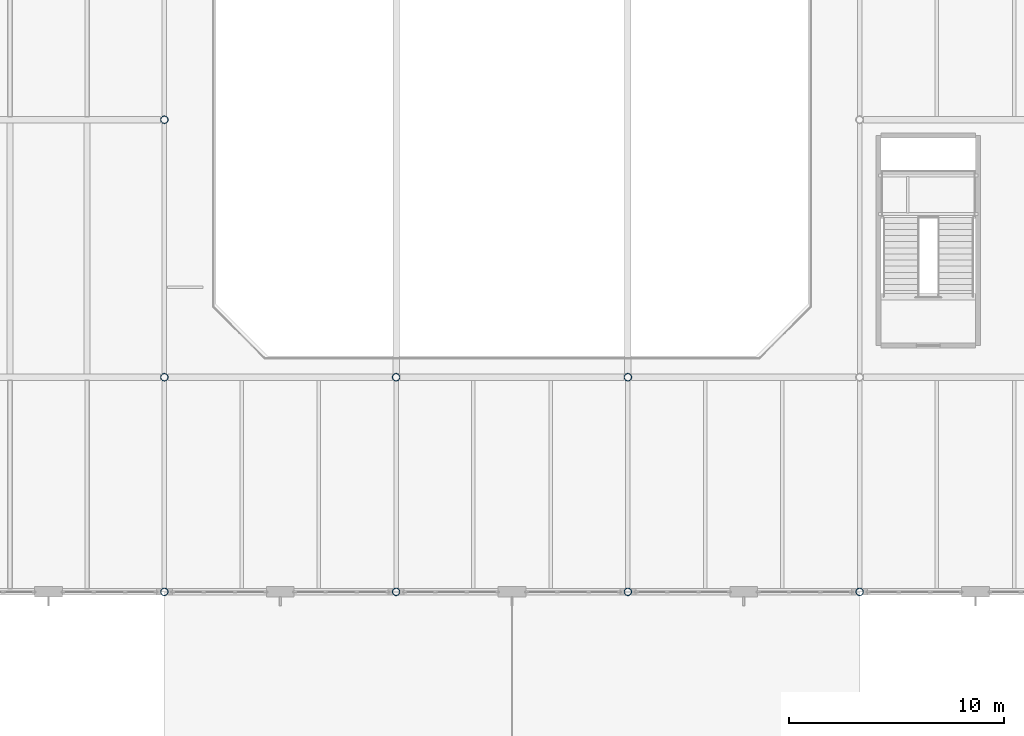
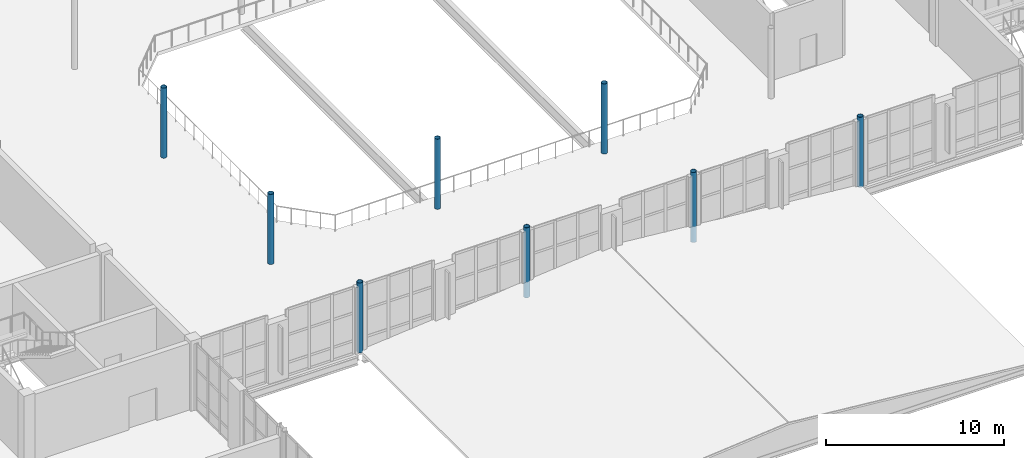
# One storey, part 6 of 92: 8 columns.
"""IFC4 building model written with IfcOpenShell, lengths in metres."""

from ifc_helpers import new_model, si_unit, direction, frame, origin, origin_2d, place, context, subcontext, project, spatial, hollow_circle, extrude, material, material_profile, profile_set, type_object, element, save


model = new_model("IFC4")

# Units and contexts
model_context = context("Model", 3, precision=1e-05, world=origin(), true_north=direction((0.0, 1.0)))
body_context = subcontext(model_context, "Body", "Model", "MODEL_VIEW")
ifc_project = project(units=[si_unit("LENGTHUNIT", "METRE"), si_unit("AREAUNIT", "SQUARE_METRE"), si_unit("VOLUMEUNIT", "CUBIC_METRE"), si_unit("PLANEANGLEUNIT", "RADIAN"), si_unit("MASSUNIT", "GRAM", prefix="KILO")], contexts=[model_context])

# Site, building, storey
site_placement = place(None, origin())
site = spatial("IfcSite", under=ifc_project, at=site_placement, CompositionType="ELEMENT")
building_placement = place(site_placement, origin())
building = spatial("IfcBuilding", under=site, at=building_placement, Name="Tasgan Crest Museum", CompositionType="ELEMENT")
storey_placement = place(building_placement, frame((0.0, 0.0, 4.800048828125)))
storey = spatial("IfcBuildingStorey", under=building, at=storey_placement, Name="L01", CompositionType="ELEMENT", Elevation=4.800048828125)

# Columns
ifc_material = material(Name="Steel S355K2", Category="steel")
ifc_material_profile = material_profile(ifc_material, hollow_circle(Radius=0.177734375, WallThickness=0.01611328125, at=origin_2d()), Name="CHS 355.6x16")
ifc_profile_set = profile_set([ifc_material_profile], Name="Steel S355K2")
column_type = type_object("IfcColumnType", Name="COL-CHS355", PredefinedType="COLUMN", material=ifc_profile_set)
for number, where, z_axis, x_axis, name in (
    (1, (64.800048828125, 40.0, 0.0), (0.0, 0.0, 1.0), (1.0, 0.0, 0.0), "Column 7/E L01"),
    (2, (64.800048828125, 50.0, 0.0), (0.0, 0.0, 1.0), (1.0, 0.0, 0.0), "Column 7/F L01"),
    (3, (64.800048828125, 62.0, 0.0), (0.0, 0.0, 1.0), (1.0, 0.0, 0.0), "Column 7/G L01"),
    (4, (75.60009765625, 40.0, 0.0), (0.0, 0.0, 1.0), (1.0, 0.0, 0.0), "Column 8/E L01"),
    (5, (75.60009765625, 50.0, 0.0), (0.0, 0.0, 1.0), (1.0, 0.0, 0.0), "Column 8/F L01"),
    (6, (86.39990234375, 40.0, 0.0), (0.0, 0.0, 1.0), (1.0, 0.0, 0.0), "Column 9/E L01"),
    (7, (86.39990234375, 50.0, 0.0), (0.0, 0.0, 1.0), (1.0, 0.0, 0.0), "Column 9/F L01"),
    (8, (97.199951171875, 40.0, 0.0), (0.0, 0.0, 1.0), (1.0, 0.0, 0.0), "Column 10/E L01"),
):
    element("IfcColumn", number, at=place(storey_placement, frame(where, z_axis=z_axis, x_axis=x_axis)), inside=storey, type_object=column_type, Name=name, PredefinedType="COLUMN", context=body_context, shape_type="SweptSolid", body=[
        extrude(hollow_circle(Radius=0.177734375, WallThickness=0.01611328125, at=origin_2d()), origin(), (0.0, 0.0, 1.0), 4.800048828125),
    ])

save(model, "model.ifc")
